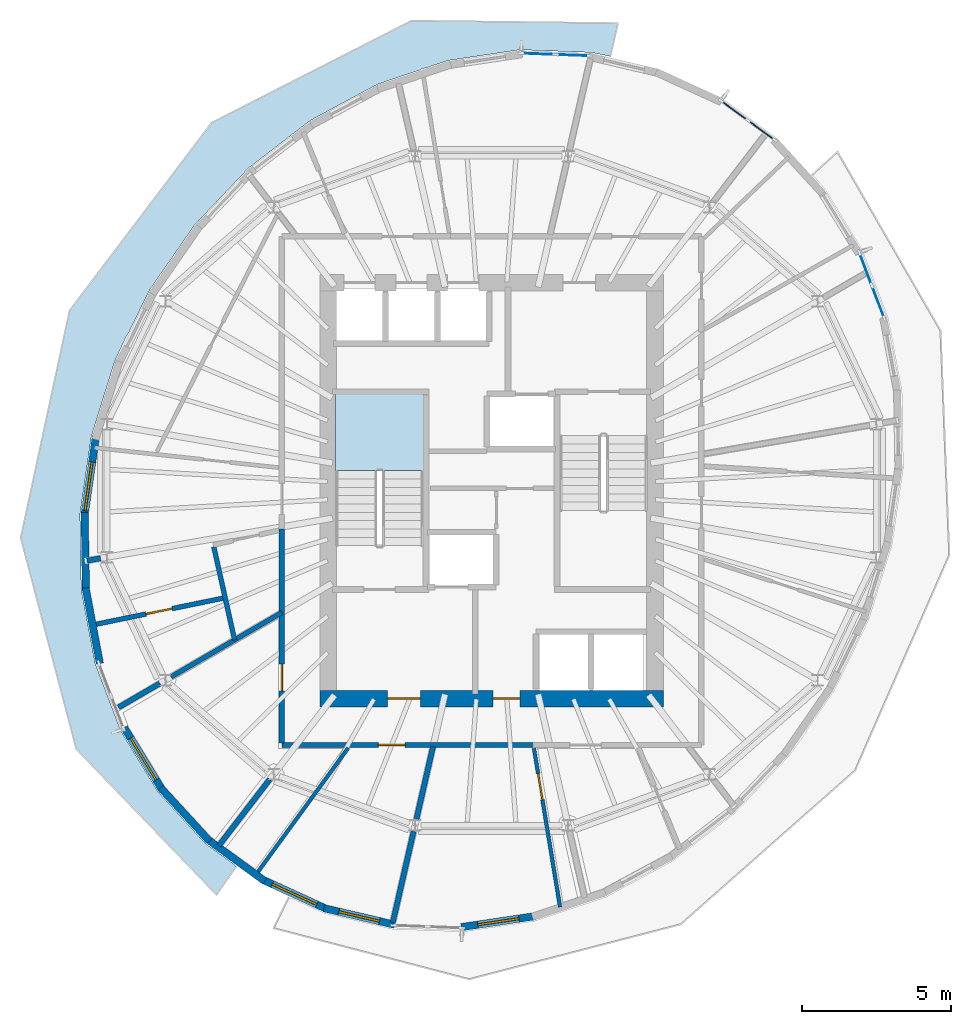
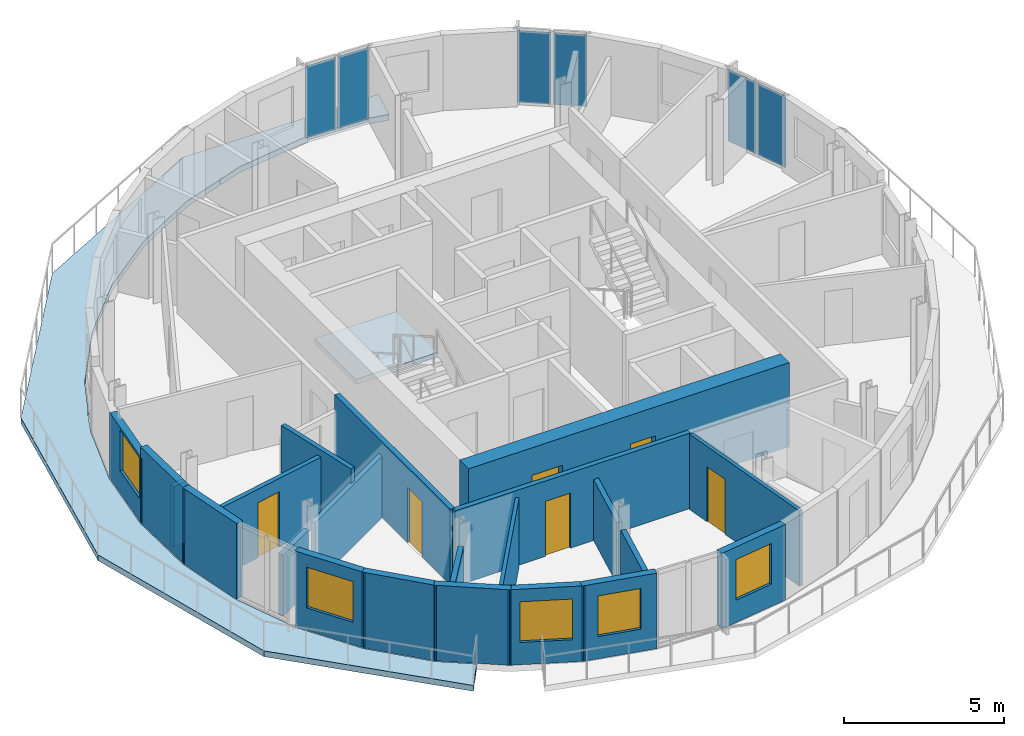
# One storey, part 4 of 11: 22 walls, 6 doors, 6 plates, 5 windows, 2 slabs, 11 openings, 4 elements without a shape of their own.
"""IFC4 building model written with IfcOpenShell, lengths in metres."""

from ifc_helpers import new_model, si_unit, direction, frame, frame_2d, origin, origin_2d, place, context, subcontext, project, spatial, polyline, rectangle, outline, extrude, material, layer, layer_set, type_object, element, fill, aggregate, save


model = new_model("IFC4")

# Units and contexts
model_context = context("Model", 3, precision=1e-05, world=origin(), true_north=direction((0.0, 1.0)))
body_context = subcontext(model_context, "Body", "Model", "MODEL_VIEW")
ifc_project = project(units=[si_unit("LENGTHUNIT", "METRE"), si_unit("AREAUNIT", "SQUARE_METRE"), si_unit("VOLUMEUNIT", "CUBIC_METRE"), si_unit("PLANEANGLEUNIT", "RADIAN"), si_unit("MASSUNIT", "GRAM", prefix="KILO")], contexts=[model_context])

# Site, building, storey
site_placement = place(None, origin())
site = spatial("IfcSite", under=ifc_project, at=site_placement, CompositionType="ELEMENT")
building_placement = place(site_placement, origin())
building = spatial("IfcBuilding", under=site, at=building_placement, Name="Veldorim Arch Residences", CompositionType="ELEMENT")
storey_placement = place(building_placement, frame((0.0, 0.0, 239.840087890625)))
storey = spatial("IfcBuildingStorey", under=building, at=storey_placement, Name="L72", CompositionType="ELEMENT", Elevation=239.840087890625)

# Slab
ifc_material_1 = material(Name="Concrete C40/50", Category="concrete")
ifc_layer_1 = layer(ifc_material_1, 0.219970703125, Name="Planted Crescent Cantilever Balcony Slab 220")
ifc_layer_set_1 = layer_set([ifc_layer_1], Name="Concrete C40/50")
slab_type_1 = type_object("IfcSlabType", Name="Planted Crescent Cantilever Balcony Slab 220", PredefinedType="FLOOR", material=ifc_layer_set_1)
slab_1_placement = place(storey_placement, frame((0.0, 0.0, -0.219970703125)))
element("IfcSlab", 1, at=slab_1_placement, inside=storey, type_object=slab_type_1, Name="L72 planted crescent balcony slab A", PredefinedType="FLOOR", context=body_context, shape_type="SweptSolid", body=[
    extrude(outline(polyline([(35.997314453125, 38.618896484375), (35.3486328125, 38.74951171875), (32.957763671875, 38.83935546875), (30.537841796875, 38.478271484375), (29.7763671875, 38.221435546875), (29.680419921875, 38.21533203125), (29.5712890625, 38.15234375), (28.162841796875, 37.677490234375), (25.904296875, 36.4609375), (23.831298828125, 34.8662109375), (22.00634765625, 32.94140625), (20.485107421875, 30.7451171875), (19.787109375, 29.314697265625), (19.71484375, 29.21630859375), (19.313232421875, 28.34375), (18.52685546875, 25.810546875), (18.14990234375, 23.222412109375), (18.193359375, 20.65771484375), (18.656494140625, 18.194091796875), (19.52490234375, 15.906982421875), (20.772705078125, 13.865478515625), (22.36181640625, 12.132080078125), (23.31396484375, 11.4375), (23.397705078125, 11.33642578125), (22.7421875, 10.3916015625), (18.0205078125, 15.2978515625), (16.1494140625, 22.412841796875), (17.7958984375, 30.069091796875), (22.573486328125, 36.384765625), (29.302978515625, 39.819091796875), (36.259033203125, 39.73876953125), (35.997314453125, 38.618896484375)])), origin(), (0.0, 0.0, 1.0), 0.219970703125),
])

# Stair, slab
ifc_material_2 = material(Name="Concrete C40/50", Category="concrete")
stair_type = type_object("IfcStairType", Name="Reinforced Concrete Dogleg Exit Staircase", PredefinedType="HALF_TURN_STAIR", material=ifc_material_2)
stair_placement = place(storey_placement, origin())
stair = element("IfcStair", 2, at=stair_placement, inside=storey, type_object=stair_type, Name="L72 Exit Staircase ST-1", PredefinedType="HALF_TURN_STAIR")
ifc_material_3 = material(Name="Concrete C40/50", Category="concrete")
ifc_layer_2 = layer(ifc_material_3, 0.199951171875, Name="Reinforced Concrete Stair Landing 200")
ifc_layer_set_2 = layer_set([ifc_layer_2], Name="Concrete C40/50")
slab_type_2 = type_object("IfcSlabType", Name="Reinforced Concrete Stair Landing 200", PredefinedType="LANDING", material=ifc_layer_set_2)
slab_2_placement = place(storey_placement, frame((0.0, 0.0, 1.39990234375)))
slab_2 = element("IfcSlab", 3, at=slab_2_placement, type_object=slab_type_2, Name="ST-1 landing 1", PredefinedType="LANDING", context=body_context, shape_type="SweptSolid", body=[
    extrude(outline(polyline([(29.7099609375, 24.669921875), (29.7099609375, 27.25), (26.75, 27.25), (26.75, 24.669921875), (29.7099609375, 24.669921875)])), origin(), (0.0, 0.0, 1.0), 0.199951171875),
])
aggregate(stair, [slab_2])

# Curtain wall, plates
ifc_material_4 = material(Name="Aluminium", Category="aluminium")
curtain_wall_type = type_object("IfcCurtainWallType", Name="Zone 4 High-Altitude Unitised Curtain Wall", PredefinedType="NOTDEFINED", material=ifc_material_4)
curtain_wall_1_placement = place(storey_placement, origin())
curtain_wall_1 = element("IfcCurtainWall", 4, at=curtain_wall_1_placement, inside=storey, type_object=curtain_wall_type, Name="L72 unitised curtain wall bay 03", PredefinedType="NOTDEFINED")
ifc_material_5 = material(Name="Laminated Low-E Glass", Category="glass")
ifc_layer_3 = layer(ifc_material_5, 0.030029296875, Name="Zone 4 High-Altitude Unitised Curtain Wall Glazing Panel 30")
ifc_layer_set_3 = layer_set([ifc_layer_3], Name="Laminated Low-E Glass")
plate_type = type_object("IfcPlateType", Name="Zone 4 High-Altitude Unitised Curtain Wall Glazing Panel 30", PredefinedType="CURTAIN_PANEL", material=ifc_layer_set_3)
plate_1_placement = place(storey_placement, frame((33.571044921875, 38.701171875, 0.074951171875), z_axis=(0.0, 0.0, 1.0), x_axis=(0.999292627791, -0.037606436173, 0.0)))
plate_1 = element("IfcPlate", 5, at=plate_1_placement, type_object=plate_type, Name="CW-Z4 panel 1.1", PredefinedType="CURTAIN_PANEL", context=body_context, shape_type="SweptSolid", body=[
    extrude(rectangle(XDim=1.08154296875, YDim=0.030029296875, at=origin_2d()), origin(), (0.0, 0.0, 1.0), 2.72998046875),
])
plate_2_placement = place(storey_placement, frame((34.7265625, 38.65771484375, 0.074951171875), z_axis=(0.0, 0.0, 1.0), x_axis=(0.999292627791, -0.037606436173, 0.0)))
plate_2 = element("IfcPlate", 6, at=plate_2_placement, type_object=plate_type, Name="CW-Z4 panel 2.1", PredefinedType="CURTAIN_PANEL", context=body_context, shape_type="SweptSolid", body=[
    extrude(rectangle(XDim=1.08154296875, YDim=0.030029296875, at=origin_2d()), origin(), (0.0, 0.0, 1.0), 2.72998046875),
])
aggregate(curtain_wall_1, [plate_1, plate_2])

curtain_wall_2_placement = place(storey_placement, origin())
curtain_wall_2 = element("IfcCurtainWall", 7, at=curtain_wall_2_placement, inside=storey, type_object=curtain_wall_type, Name="L72 unitised curtain wall bay 33", PredefinedType="NOTDEFINED")
plate_3_placement = place(storey_placement, frame((44.591796875, 31.461669921875, 0.074951171875), z_axis=(0.0, 0.0, 1.0), x_axis=(0.355002333755, -0.934865414393, 0.0)))
plate_3 = element("IfcPlate", 8, at=plate_3_placement, type_object=plate_type, Name="CW-Z4 panel 1.1", PredefinedType="CURTAIN_PANEL", context=body_context, shape_type="SweptSolid", body=[
    extrude(rectangle(XDim=1.1083984375, YDim=0.030029296875, at=origin_2d()), origin(), (0.0, 0.0, 1.0), 2.72998046875),
])
plate_4_placement = place(storey_placement, frame((45.011962890625, 30.355224609375, 0.074951171875), z_axis=(0.0, 0.0, 1.0), x_axis=(0.355002333755, -0.934865414393, 0.0)))
plate_4 = element("IfcPlate", 9, at=plate_4_placement, type_object=plate_type, Name="CW-Z4 panel 2.1", PredefinedType="CURTAIN_PANEL", context=body_context, shape_type="SweptSolid", body=[
    extrude(rectangle(XDim=1.1083984375, YDim=0.030029296875, at=origin_2d()), origin(), (0.0, 0.0, 1.0), 2.72998046875),
])
aggregate(curtain_wall_2, [plate_3, plate_4])

curtain_wall_3_placement = place(storey_placement, origin())
curtain_wall_3 = element("IfcCurtainWall", 10, at=curtain_wall_3_placement, inside=storey, type_object=curtain_wall_type, Name="L72 unitised curtain wall bay 36", PredefinedType="NOTDEFINED")
plate_5_placement = place(storey_placement, frame((40.1748046875, 36.79296875, 0.074951171875), z_axis=(0.0, 0.0, 1.0), x_axis=(0.807929877105, -0.589278638406, 0.0)))
plate_5 = element("IfcPlate", 11, at=plate_5_placement, type_object=plate_type, Name="CW-Z4 panel 1.1", PredefinedType="CURTAIN_PANEL", context=body_context, shape_type="SweptSolid", body=[
    extrude(rectangle(XDim=1.0498046875, YDim=0.030029296875, at=origin_2d()), origin(), (0.0, 0.0, 1.0), 2.72998046875),
])
plate_6_placement = place(storey_placement, frame((41.083740234375, 36.130126953125, 0.074951171875), z_axis=(0.0, 0.0, 1.0), x_axis=(0.807929877105, -0.589278638406, 0.0)))
plate_6 = element("IfcPlate", 12, at=plate_6_placement, type_object=plate_type, Name="CW-Z4 panel 2.1", PredefinedType="CURTAIN_PANEL", context=body_context, shape_type="SweptSolid", body=[
    extrude(rectangle(XDim=1.0498046875, YDim=0.030029296875, at=origin_2d()), origin(), (0.0, 0.0, 1.0), 2.72998046875),
])
aggregate(curtain_wall_3, [plate_5, plate_6])

# Wall
ifc_material_6 = material(Name="Acoustic Gypsum Board", Category="gypsum")
ifc_layer_4 = layer(ifc_material_6, 0.125, Name="Acoustic Stud Room Partition Wall 125")
ifc_layer_set_4 = layer_set([ifc_layer_4], Name="Acoustic Gypsum Board")
wall_type_1 = type_object("IfcWallType", Name="Acoustic Stud Room Partition Wall 125", PredefinedType="PARTITIONING", material=ifc_layer_set_4)
wall_1_placement = place(storey_placement, frame((24.07568359375, 11.086181640625, 0.0), z_axis=(0.0, 0.0, 1.0), x_axis=(0.588877051888, 0.808222628834, 0.0)))
element("IfcWall", 13, at=wall_1_placement, inside=storey, type_object=wall_type_1, Name="L72 interior wall WL-RES-L72-009", PredefinedType="PARTITIONING", context=body_context, shape_type="SweptSolid", body=[
    extrude(rectangle(XDim=5.266845703125, YDim=0.125, at=frame_2d((2.63330078125, 0.0))), origin(), (0.0, 0.0, 1.0), 2.61181640625),
])

# Wall, opening, door
wall_2_placement = place(storey_placement, frame((34.306396484375, 9.98046875, 0.0), z_axis=(0.0, 0.0, 1.0), x_axis=(-0.162328724732, 0.98673673547, 0.0)))
wall_2 = element("IfcWall", 14, at=wall_2_placement, inside=storey, type_object=wall_type_1, Name="L72 interior wall WL-RES-L72-013", PredefinedType="PARTITIONING", context=body_context, shape_type="SweptSolid", body=[
    extrude(rectangle(XDim=5.412841796875, YDim=0.125, at=frame_2d((2.70654296875, 0.0))), origin(), (0.0, 0.0, 1.0), 2.875),
])
opening_1_placement = place(wall_2_placement, frame((3.656494140625, 0.0, 0.0)))
opening_1 = element("IfcOpeningElement", 15, at=opening_1_placement, cuts=wall_2, Name="Opening DR-INT", PredefinedType="OPENING", context=body_context, shape_type="SweptSolid", body=[
    extrude(rectangle(XDim=0.89990234375, YDim=2.10009765625, at=frame_2d((0.449951171875, 1.050048828125))), frame((0.0, 0.072509765625, 0.0), z_axis=(0.0, -1.0, 0.0), x_axis=(1.0, 0.0, 0.0)), (0.0, 0.0, 1.0), 0.14501953125),
])
ifc_material_7 = material(Name="Engineered Timber", Category="wood")
door_type_1 = type_object("IfcDoorType", Name="Apartment Internal Room Timber Door 900x2100", OperationType="SINGLE_SWING_LEFT", PredefinedType="DOOR", material=ifc_material_7)
door_1_placement = place(opening_1_placement, origin())
door_1 = element("IfcDoor", 16, at=door_1_placement, inside=storey, type_object=door_type_1, Name="L72 interior door DR-RES-L72-005", OperationType="SINGLE_SWING_LEFT", OverallHeight=2.10009765625, OverallWidth=0.89990234375, PredefinedType="DOOR", context=body_context, shape_type="SweptSolid", body=[
    extrude(rectangle(XDim=0.89990234375, YDim=2.10009765625, at=frame_2d((0.449951171875, 1.050048828125))), frame((0.0, 0.02490234375, 0.0), z_axis=(0.0, -1.0, 0.0), x_axis=(1.0, 0.0, 0.0)), (0.0, 0.0, 1.0), 0.050048828125),
])
fill(opening_1, door_1)

# Walls
ifc_material_8 = material(Name="Lightweight Masonry Block & Gypsum", Category="masonry")
ifc_layer_5 = layer(ifc_material_8, 0.179931640625, Name="Compartment & Corridor Fire-Rated Party Wall 180")
ifc_layer_set_5 = layer_set([ifc_layer_5], Name="Lightweight Masonry Block & Gypsum")
wall_type_2 = type_object("IfcWallType", Name="Compartment & Corridor Fire-Rated Party Wall 180", PredefinedType="PARTITIONING", material=ifc_layer_set_5)
wall_3_placement = place(storey_placement, frame((18.83740234375, 21.722900390625, 0.0), z_axis=(0.0, 0.0, 1.0), x_axis=(-0.985450971837, -0.169959942652, 0.0)))
element("IfcWall", 17, at=wall_3_placement, inside=storey, type_object=wall_type_2, Name="L72 interior wall WL-PIER-L72-09", PredefinedType="PARTITIONING", context=body_context, shape_type="SweptSolid", body=[
    extrude(rectangle(XDim=0.462646484375, YDim=0.179931640625, at=frame_2d((0.2314453125, 0.0))), origin(), (0.0, 0.0, 1.0), 2.3232421875),
])
wall_4_placement = place(storey_placement, frame((20.834716796875, 17.51171875, 0.0), z_axis=(0.0, 0.0, 1.0), x_axis=(-0.864591417654, -0.50247555216, 0.0)))
element("IfcWall", 18, at=wall_4_placement, inside=storey, type_object=wall_type_2, Name="L72 interior wall WL-PIER-L72-10", PredefinedType="PARTITIONING", context=body_context, shape_type="SweptSolid", body=[
    extrude(rectangle(XDim=1.610595703125, YDim=0.179931640625, at=frame_2d((0.80517578125, 0.0))), origin(), (0.0, 0.0, 1.0), 2.3232421875),
])
wall_5_placement = place(storey_placement, frame((24.53271484375, 14.280517578125, 0.0), z_axis=(0.0, 0.0, 1.0), x_axis=(-0.609215330611, -0.793004842954, 0.0)))
element("IfcWall", 19, at=wall_5_placement, inside=storey, type_object=wall_type_2, Name="L72 interior wall WL-PIER-L72-11", PredefinedType="PARTITIONING", context=body_context, shape_type="SweptSolid", body=[
    extrude(rectangle(XDim=2.810791015625, YDim=0.179931640625, at=frame_2d((1.4052734375, 0.0))), origin(), (0.0, 0.0, 1.0), 2.3232421875),
])
wall_6_placement = place(storey_placement, frame((29.3759765625, 12.526611328125, 0.0), z_axis=(0.0, 0.0, 1.0), x_axis=(-0.222991059039, -0.974820489931, 0.0)))
element("IfcWall", 20, at=wall_6_placement, inside=storey, type_object=wall_type_2, Name="L72 interior wall WL-PIER-L72-12", PredefinedType="PARTITIONING", context=body_context, shape_type="SweptSolid", body=[
    extrude(rectangle(XDim=3.14990234375, YDim=0.179931640625, at=frame_2d((1.574951171875, 0.0))), origin(), (0.0, 0.0, 1.0), 2.3232421875),
])

# Wall, opening, door
wall_7_placement = place(storey_placement, frame((33.428466796875, 15.43994140625, 0.0), z_axis=(0.0, 0.0, 1.0), x_axis=(-1.0, 0.0, 0.0)))
wall_7 = element("IfcWall", 21, at=wall_7_placement, inside=storey, type_object=wall_type_2, Name="L72 interior wall WL-RES-L72-001", PredefinedType="PARTITIONING", context=body_context, shape_type="SweptSolid", body=[
    extrude(rectangle(XDim=8.488525390625, YDim=0.179931640625, at=frame_2d((4.244140625, 0.0))), origin(), (0.0, 0.0, 1.0), 2.875),
])
opening_2_placement = place(wall_7_placement, frame((4.335693359375, 0.0, 0.0)))
opening_2 = element("IfcOpeningElement", 22, at=opening_2_placement, cuts=wall_7, Name="Opening DR-SVC", PredefinedType="OPENING", context=body_context, shape_type="SweptSolid", body=[
    extrude(rectangle(XDim=0.89990234375, YDim=2.10009765625, at=frame_2d((0.449951171875, 1.050048828125))), frame((0.0, 0.099853515625, 0.0), z_axis=(0.0, -1.0, 0.0), x_axis=(1.0, 0.0, 0.0)), (0.0, 0.0, 1.0), 0.199951171875),
])
ifc_material_9 = material(Name="Fire-Rated Steel", Category="steel")
door_type_2 = type_object("IfcDoorType", Name="Riser, Shelter & Plant Room Rated Steel Door 900x2100", OperationType="SINGLE_SWING_LEFT", PredefinedType="DOOR", material=ifc_material_9)
door_2_placement = place(opening_2_placement, origin())
door_2 = element("IfcDoor", 23, at=door_2_placement, inside=storey, type_object=door_type_2, Name="L72 interior door DR-RES-L72-001", OperationType="SINGLE_SWING_LEFT", OverallHeight=2.10009765625, OverallWidth=0.89990234375, PredefinedType="DOOR", context=body_context, shape_type="SweptSolid", body=[
    extrude(rectangle(XDim=0.89990234375, YDim=2.10009765625, at=frame_2d((0.449951171875, 1.050048828125))), frame((0.0, 0.02490234375, 0.0), z_axis=(0.0, -1.0, 0.0), x_axis=(1.0, 0.0, 0.0)), (0.0, 0.0, 1.0), 0.050048828125),
])
fill(opening_2, door_2)

wall_8_placement = place(storey_placement, frame((24.93994140625, 15.5, 0.0), z_axis=(0.0, 0.0, 1.0), x_axis=(0.0, 1.0, 0.0)))
wall_8 = element("IfcWall", 24, at=wall_8_placement, inside=storey, type_object=wall_type_2, Name="L72 interior wall WL-RES-L72-002", PredefinedType="PARTITIONING", context=body_context, shape_type="SweptSolid", body=[
    extrude(rectangle(XDim=7.202880859375, YDim=0.179931640625, at=frame_2d((3.6015625, 0.0))), origin(), (0.0, 0.0, 1.0), 2.875),
])
opening_3_placement = place(wall_8_placement, frame((1.7587890625, 0.0, 0.0)))
opening_3 = element("IfcOpeningElement", 25, at=opening_3_placement, cuts=wall_8, Name="Opening DR-INT", PredefinedType="OPENING", context=body_context, shape_type="SweptSolid", body=[
    extrude(rectangle(XDim=0.89990234375, YDim=2.10009765625, at=frame_2d((0.449951171875, 1.050048828125))), frame((0.0, 0.099853515625, 0.0), z_axis=(0.0, -1.0, 0.0), x_axis=(1.0, 0.0, 0.0)), (0.0, 0.0, 1.0), 0.199951171875),
])
door_3_placement = place(opening_3_placement, origin())
door_3 = element("IfcDoor", 26, at=door_3_placement, inside=storey, type_object=door_type_1, Name="L72 interior door DR-RES-L72-002", OperationType="SINGLE_SWING_RIGHT", OverallHeight=2.10009765625, OverallWidth=0.89990234375, PredefinedType="DOOR", context=body_context, shape_type="SweptSolid", body=[
    extrude(rectangle(XDim=0.89990234375, YDim=2.10009765625, at=frame_2d((0.449951171875, 1.050048828125))), frame((0.0, 0.02490234375, 0.0), z_axis=(0.0, -1.0, 0.0), x_axis=(1.0, 0.0, 0.0)), (0.0, 0.0, 1.0), 0.050048828125),
])
fill(opening_3, door_3)

# Wall
wall_9_placement = place(storey_placement, frame((30.02880859375, 15.381591796875, 0.0), z_axis=(0.0, 0.0, 1.0), x_axis=(-0.222978952174, -0.974823259308, 0.0)))
element("IfcWall", 27, at=wall_9_placement, inside=storey, type_object=wall_type_2, Name="L72 interior wall WL-RES-L72-010", PredefinedType="PARTITIONING", context=body_context, shape_type="SweptSolid", body=[
    extrude(rectangle(XDim=2.494140625, YDim=0.179931640625, at=frame_2d((1.2470703125, 0.0))), origin(), (0.0, 0.0, 1.0), 2.3232421875),
])

# Wall, opening, window
ifc_material_10 = material(Name="Precast concrete C40/50", Category="concrete")
ifc_layer_6 = layer(ifc_material_10, 0.25, Name="Tower Terracotta Spandrel & Pier Wall 250")
ifc_layer_set_6 = layer_set([ifc_layer_6], Name="Precast concrete C40/50")
wall_type_3 = type_object("IfcWallType", Name="Tower Terracotta Spandrel & Pier Wall 250", PredefinedType="SOLIDWALL", material=ifc_layer_set_6)
wall_10_placement = place(storey_placement, frame((18.2919921875, 23.158203125, 0.0), z_axis=(0.0, 0.0, 1.0), x_axis=(0.144229466115, 0.989544269401, 0.0)))
wall_10 = element("IfcWall", 28, at=wall_10_placement, inside=storey, type_object=wall_type_3, Name="L72 terracotta facade wall 12", PredefinedType="SOLIDWALL", context=body_context, shape_type="SweptSolid", body=[
    extrude(rectangle(XDim=2.70166015625, YDim=0.25, at=frame_2d((1.350830078125, 0.0))), origin(), (0.0, 0.0, 1.0), 2.496826171875),
])
opening_4_placement = place(wall_10_placement, frame((0.175048828125, 0.0, 0.85009765625)))
opening_4 = element("IfcOpeningElement", 29, at=opening_4_placement, cuts=wall_10, Name="Opening WN-03", PredefinedType="OPENING", context=body_context, shape_type="SweptSolid", body=[
    extrude(rectangle(XDim=1.64990234375, YDim=1.550048828125, at=frame_2d((0.824951171875, 0.77490234375))), frame((0.0, 0.135009765625, 0.0), z_axis=(0.0, -1.0, 0.0), x_axis=(1.0, 0.0, 0.0)), (0.0, 0.0, 1.0), 0.27001953125),
])
ifc_material_11 = material(Name="Laminated Low-E Glass", Category="glass")
window_type_1 = type_object("IfcWindowType", Name="Residential Wide Window 1650x1550", PartitioningType="SINGLE_PANEL", PredefinedType="WINDOW", material=ifc_material_11)
window_1_placement = place(opening_4_placement, origin())
window_1 = element("IfcWindow", 30, at=window_1_placement, inside=storey, type_object=window_type_1, Name="L72 solar-control facade window 12", OverallHeight=1.550048828125, OverallWidth=1.64990234375, PartitioningType="SINGLE_PANEL", PredefinedType="WINDOW", context=body_context, shape_type="SweptSolid", body=[
    extrude(rectangle(XDim=1.64990234375, YDim=1.550048828125, at=frame_2d((0.824951171875, 0.77490234375))), frame((0.0, 0.030029296875, 0.0), z_axis=(0.0, -1.0, 0.0), x_axis=(1.0, 0.0, 0.0)), (0.0, 0.0, 1.0), 0.06005859375),
])
fill(opening_4, window_1)

# Walls
wall_11_placement = place(storey_placement, frame((18.343994140625, 20.6171875, 0.0), z_axis=(0.0, 0.0, 1.0), x_axis=(-0.016945158089, 0.999856420501, 0.0)))
element("IfcWall", 31, at=wall_11_placement, inside=storey, type_object=wall_type_3, Name="L72 terracotta facade wall 13", PredefinedType="SOLIDWALL", context=body_context, shape_type="SweptSolid", body=[
    extrude(rectangle(XDim=2.651123046875, YDim=0.25, at=frame_2d((1.32568359375, 0.0))), origin(), (0.0, 0.0, 1.0), 2.8798828125),
])
wall_12_placement = place(storey_placement, frame((18.811767578125, 18.179931640625, 0.0), z_axis=(0.0, 0.0, 1.0), x_axis=(-0.184783228791, 0.982779302976, 0.0)))
element("IfcWall", 32, at=wall_12_placement, inside=storey, type_object=wall_type_3, Name="L72 terracotta facade wall 14", PredefinedType="SOLIDWALL", context=body_context, shape_type="SweptSolid", body=[
    extrude(rectangle(XDim=2.59228515625, YDim=0.25, at=frame_2d((1.296142578125, 0.0))), origin(), (0.0, 0.0, 1.0), 2.8798828125),
])

# Wall, opening, window
wall_13_placement = place(storey_placement, frame((20.9228515625, 13.907470703125, 0.0), z_axis=(0.0, 0.0, 1.0), x_axis=(-0.52150580366, 0.853247734687, 0.0)))
wall_13 = element("IfcWall", 33, at=wall_13_placement, inside=storey, type_object=wall_type_3, Name="L72 terracotta facade wall 16", PredefinedType="SOLIDWALL", context=body_context, shape_type="SweptSolid", body=[
    extrude(rectangle(XDim=2.477783203125, YDim=0.25, at=frame_2d((1.23876953125, 0.0))), origin(), (0.0, 0.0, 1.0), 2.8798828125),
])
opening_5_placement = place(wall_13_placement, frame((0.4140625, 0.0, 0.85009765625)))
opening_5 = element("IfcOpeningElement", 34, at=opening_5_placement, cuts=wall_13, Name="Opening WN-03", PredefinedType="OPENING", context=body_context, shape_type="SweptSolid", body=[
    extrude(rectangle(XDim=1.64990234375, YDim=1.550048828125, at=frame_2d((0.824951171875, 0.77490234375))), frame((0.0, 0.135009765625, 0.0), z_axis=(0.0, -1.0, 0.0), x_axis=(1.0, 0.0, 0.0)), (0.0, 0.0, 1.0), 0.27001953125),
])
window_2_placement = place(opening_5_placement, origin())
window_2 = element("IfcWindow", 35, at=window_2_placement, inside=storey, type_object=window_type_1, Name="L72 solar-control facade window 16", OverallHeight=1.550048828125, OverallWidth=1.64990234375, PartitioningType="SINGLE_PANEL", PredefinedType="WINDOW", context=body_context, shape_type="SweptSolid", body=[
    extrude(rectangle(XDim=1.64990234375, YDim=1.550048828125, at=frame_2d((0.824951171875, 0.77490234375))), frame((0.0, 0.030029296875, 0.0), z_axis=(0.0, -1.0, 0.0), x_axis=(1.0, 0.0, 0.0)), (0.0, 0.0, 1.0), 0.06005859375),
])
fill(opening_5, window_2)

# Walls
wall_14_placement = place(storey_placement, frame((22.501220703125, 12.2021484375, 0.0), z_axis=(0.0, 0.0, 1.0), x_axis=(-0.675783606308, 0.737100072884, 0.0)))
element("IfcWall", 36, at=wall_14_placement, inside=storey, type_object=wall_type_3, Name="L72 terracotta facade wall 17", PredefinedType="SOLIDWALL", context=body_context, shape_type="SweptSolid", body=[
    extrude(rectangle(XDim=2.436767578125, YDim=0.25, at=frame_2d((1.21826171875, 0.0))), origin(), (0.0, 0.0, 1.0), 2.8798828125),
])
wall_15_placement = place(storey_placement, frame((24.36669921875, 10.85546875, 0.0), z_axis=(0.0, 0.0, 1.0), x_axis=(-0.80791325233, 0.589301431111, 0.0)))
element("IfcWall", 37, at=wall_15_placement, inside=storey, type_object=wall_type_3, Name="L72 terracotta facade wall 18", PredefinedType="SOLIDWALL", context=body_context, shape_type="SweptSolid", body=[
    extrude(rectangle(XDim=2.41455078125, YDim=0.25, at=frame_2d((1.207275390625, 0.0))), origin(), (0.0, 0.0, 1.0), 2.8798828125),
])

# Wall, opening, window
wall_16_placement = place(storey_placement, frame((26.463134765625, 9.907470703125, 0.0), z_axis=(0.0, 0.0, 1.0), x_axis=(-0.909098330543, 0.416581595133, 0.0)))
wall_16 = element("IfcWall", 38, at=wall_16_placement, inside=storey, type_object=wall_type_3, Name="L72 terracotta facade wall 19", PredefinedType="SOLIDWALL", context=body_context, shape_type="SweptSolid", body=[
    extrude(rectangle(XDim=2.41455078125, YDim=0.25, at=frame_2d((1.207275390625, 0.0))), origin(), (0.0, 0.0, 1.0), 2.8798828125),
])
opening_6_placement = place(wall_16_placement, frame((0.382080078125, 0.0, 0.85009765625)))
opening_6 = element("IfcOpeningElement", 39, at=opening_6_placement, cuts=wall_16, Name="Opening WN-03", PredefinedType="OPENING", context=body_context, shape_type="SweptSolid", body=[
    extrude(rectangle(XDim=1.64990234375, YDim=1.550048828125, at=frame_2d((0.824951171875, 0.77490234375))), frame((0.0, 0.135009765625, 0.0), z_axis=(0.0, -1.0, 0.0), x_axis=(1.0, 0.0, 0.0)), (0.0, 0.0, 1.0), 0.27001953125),
])
window_3_placement = place(opening_6_placement, origin())
window_3 = element("IfcWindow", 40, at=window_3_placement, inside=storey, type_object=window_type_1, Name="L72 solar-control facade window 19", OverallHeight=1.550048828125, OverallWidth=1.64990234375, PartitioningType="SINGLE_PANEL", PredefinedType="WINDOW", context=body_context, shape_type="SweptSolid", body=[
    extrude(rectangle(XDim=1.64990234375, YDim=1.550048828125, at=frame_2d((0.824951171875, 0.77490234375))), frame((0.0, 0.030029296875, 0.0), z_axis=(0.0, -1.0, 0.0), x_axis=(1.0, 0.0, 0.0)), (0.0, 0.0, 1.0), 0.06005859375),
])
fill(opening_6, window_3)

wall_17_placement = place(storey_placement, frame((28.72705078125, 9.386962890625, 0.0), z_axis=(0.0, 0.0, 1.0), x_axis=(-0.973464451287, 0.228838288055, 0.0)))
wall_17 = element("IfcWall", 41, at=wall_17_placement, inside=storey, type_object=wall_type_3, Name="L72 terracotta facade wall 20", PredefinedType="SOLIDWALL", context=body_context, shape_type="SweptSolid", body=[
    extrude(rectangle(XDim=2.436767578125, YDim=0.25, at=frame_2d((1.21826171875, 0.0))), origin(), (0.0, 0.0, 1.0), 2.8798828125),
])
opening_7_placement = place(wall_17_placement, frame((0.51806640625, 0.0, 0.85009765625)))
opening_7 = element("IfcOpeningElement", 42, at=opening_7_placement, cuts=wall_17, Name="Opening WN-02", PredefinedType="OPENING", context=body_context, shape_type="SweptSolid", body=[
    extrude(rectangle(XDim=1.39990234375, YDim=1.550048828125, at=frame_2d((0.699951171875, 0.77490234375))), frame((0.0, 0.135009765625, 0.0), z_axis=(0.0, -1.0, 0.0), x_axis=(1.0, 0.0, 0.0)), (0.0, 0.0, 1.0), 0.27001953125),
])
ifc_material_12 = material(Name="Laminated Low-E Glass", Category="glass")
window_type_2 = type_object("IfcWindowType", Name="Residential Casement Window 1400x1550", PartitioningType="SINGLE_PANEL", PredefinedType="WINDOW", material=ifc_material_12)
window_4_placement = place(opening_7_placement, origin())
window_4 = element("IfcWindow", 43, at=window_4_placement, inside=storey, type_object=window_type_2, Name="L72 solar-control facade window 20", OverallHeight=1.550048828125, OverallWidth=1.39990234375, PartitioningType="SINGLE_PANEL", PredefinedType="WINDOW", context=body_context, shape_type="SweptSolid", body=[
    extrude(rectangle(XDim=1.39990234375, YDim=1.550048828125, at=frame_2d((0.699951171875, 0.77490234375))), frame((0.0, 0.030029296875, 0.0), z_axis=(0.0, -1.0, 0.0), x_axis=(1.0, 0.0, 0.0)), (0.0, 0.0, 1.0), 0.06005859375),
])
fill(opening_7, window_4)

wall_18_placement = place(storey_placement, frame((33.482421875, 9.676513671875, 0.0), z_axis=(0.0, 0.0, 1.0), x_axis=(-0.989047098021, -0.147600263873, 0.0)))
wall_18 = element("IfcWall", 44, at=wall_18_placement, inside=storey, type_object=wall_type_3, Name="L72 terracotta facade wall 22", PredefinedType="SOLIDWALL", context=body_context, shape_type="SweptSolid", body=[
    extrude(rectangle(XDim=2.532470703125, YDim=0.25, at=frame_2d((1.26611328125, 0.0))), origin(), (0.0, 0.0, 1.0), 2.8798828125),
])
opening_8_placement = place(wall_18_placement, frame((0.56591796875, 0.0, 0.85009765625)))
opening_8 = element("IfcOpeningElement", 45, at=opening_8_placement, cuts=wall_18, Name="Opening WN-02", PredefinedType="OPENING", context=body_context, shape_type="SweptSolid", body=[
    extrude(rectangle(XDim=1.39990234375, YDim=1.550048828125, at=frame_2d((0.699951171875, 0.77490234375))), frame((0.0, 0.135009765625, 0.0), z_axis=(0.0, -1.0, 0.0), x_axis=(1.0, 0.0, 0.0)), (0.0, 0.0, 1.0), 0.27001953125),
])
window_5_placement = place(opening_8_placement, origin())
window_5 = element("IfcWindow", 46, at=window_5_placement, inside=storey, type_object=window_type_2, Name="L72 solar-control facade window 22", OverallHeight=1.550048828125, OverallWidth=1.39990234375, PartitioningType="SINGLE_PANEL", PredefinedType="WINDOW", context=body_context, shape_type="SweptSolid", body=[
    extrude(rectangle(XDim=1.39990234375, YDim=1.550048828125, at=frame_2d((0.699951171875, 0.77490234375))), frame((0.0, 0.030029296875, 0.0), z_axis=(0.0, -1.0, 0.0), x_axis=(1.0, 0.0, 0.0)), (0.0, 0.0, 1.0), 0.06005859375),
])
fill(opening_8, window_5)

# Wall, openings, doors
ifc_material_13 = material(Name="Concrete C50/60", Category="concrete")
ifc_layer_7 = layer(ifc_material_13, 0.5, Name="Upper Central Core Shear Wall 560")
ifc_layer_set_7 = layer_set([ifc_layer_7], Name="Concrete C50/60")
wall_type_4 = type_object("IfcWallType", Name="Upper Central Core Shear Wall 560", PredefinedType="SHEAR", material=ifc_layer_set_7)
wall_19_placement = place(storey_placement, frame((26.219970703125, 17.0, 0.0), z_axis=(0.0, 0.0, 1.0), x_axis=(1.0, 0.0, 0.0)))
wall_19 = element("IfcWall", 47, at=wall_19_placement, inside=storey, type_object=wall_type_4, Name="L72 central core south shear wall", PredefinedType="SHEAR", context=body_context, shape_type="SweptSolid", body=[
    extrude(rectangle(XDim=11.56005859375, YDim=0.56005859375, at=frame_2d((5.780029296875, 0.0))), origin(), (0.0, 0.0, 1.0), 3.199951171875),
])
opening_9_placement = place(wall_19_placement, frame((2.280029296875, 0.0, 0.0)))
opening_9 = element("IfcOpeningElement", 48, at=opening_9_placement, cuts=wall_19, Name="Opening DR-FFL", PredefinedType="OPENING", context=body_context, shape_type="SweptSolid", body=[
    extrude(rectangle(XDim=1.10009765625, YDim=2.14990234375, at=frame_2d((0.550048828125, 1.074951171875))), frame((0.0, 0.2900390625, 0.0), z_axis=(0.0, -1.0, 0.0), x_axis=(1.0, 0.0, 0.0)), (0.0, 0.0, 1.0), 0.580078125),
])
opening_10_placement = place(wall_19_placement, frame((5.830078125, 0.0, 0.0)))
opening_10 = element("IfcOpeningElement", 49, at=opening_10_placement, cuts=wall_19, Name="Opening DR-SVC", PredefinedType="OPENING", context=body_context, shape_type="SweptSolid", body=[
    extrude(rectangle(XDim=0.89990234375, YDim=2.10009765625, at=frame_2d((0.449951171875, 1.050048828125))), frame((0.0, 0.2900390625, 0.0), z_axis=(0.0, -1.0, 0.0), x_axis=(1.0, 0.0, 0.0)), (0.0, 0.0, 1.0), 0.580078125),
])
ifc_material_14 = material(Name="Fire-Rated Steel & Vision Glass", Category="steel")
door_type_3 = type_object("IfcDoorType", Name="Firefighting Lobby Smoke-Stop Fire Door 1100x2150", OperationType="SINGLE_SWING_LEFT", PredefinedType="DOOR", material=ifc_material_14)
door_4_placement = place(opening_9_placement, origin())
door_4 = element("IfcDoor", 50, at=door_4_placement, inside=storey, type_object=door_type_3, Name="L72 interior door DR-L72-FFL1", OperationType="SINGLE_SWING_RIGHT", OverallHeight=2.14990234375, OverallWidth=1.10009765625, PredefinedType="DOOR", context=body_context, shape_type="SweptSolid", body=[
    extrude(rectangle(XDim=1.10009765625, YDim=2.14990234375, at=frame_2d((0.550048828125, 1.074951171875))), frame((0.0, 0.02490234375, 0.0), z_axis=(0.0, -1.0, 0.0), x_axis=(1.0, 0.0, 0.0)), (0.0, 0.0, 1.0), 0.050048828125),
])
fill(opening_9, door_4)
door_5_placement = place(opening_10_placement, origin())
door_5 = element("IfcDoor", 51, at=door_5_placement, inside=storey, type_object=door_type_2, Name="L72 interior door DR-L72-COR-ANC", OperationType="SINGLE_SWING_LEFT", OverallHeight=2.10009765625, OverallWidth=0.89990234375, PredefinedType="DOOR", context=body_context, shape_type="SweptSolid", body=[
    extrude(rectangle(XDim=0.89990234375, YDim=2.10009765625, at=frame_2d((0.449951171875, 1.050048828125))), frame((0.0, 0.02490234375, 0.0), z_axis=(0.0, -1.0, 0.0), x_axis=(1.0, 0.0, 0.0)), (0.0, 0.0, 1.0), 0.050048828125),
])
fill(opening_10, door_5)

# Wall
ifc_material_15 = material(Name="Moisture-Resistant Gypsum & Stud", Category="gypsum")
ifc_layer_8 = layer(ifc_material_15, 0.159912109375, Name="Wet-Area Moisture-Resistant Plumbing Wall 160")
ifc_layer_set_8 = layer_set([ifc_layer_8], Name="Moisture-Resistant Gypsum & Stud")
wall_type_5 = type_object("IfcWallType", Name="Wet-Area Moisture-Resistant Plumbing Wall 160", PredefinedType="PLUMBINGWALL", material=ifc_layer_set_8)
wall_20_placement = place(storey_placement, frame((21.209716796875, 17.7294921875, 0.0), z_axis=(0.0, 0.0, 1.0), x_axis=(0.864584371019, 0.502487676854, 0.0)))
element("IfcWall", 52, at=wall_20_placement, inside=storey, type_object=wall_type_5, Name="L72 interior wall WL-RES-L72-011", PredefinedType="PLUMBINGWALL", context=body_context, shape_type="SweptSolid", body=[
    extrude(rectangle(XDim=4.314453125, YDim=0.159912109375, at=frame_2d((2.1572265625, 0.0))), origin(), (0.0, 0.0, 1.0), 2.3232421875),
])

# Wall, opening, door
wall_21_placement = place(storey_placement, frame((23.031982421875, 20.395263671875, 0.0), z_axis=(0.0, 0.0, 1.0), x_axis=(-0.979533467042, -0.201281362638, 0.0)))
wall_21 = element("IfcWall", 53, at=wall_21_placement, inside=storey, type_object=wall_type_5, Name="L72 interior wall WL-RES-L72-024", PredefinedType="PLUMBINGWALL", context=body_context, shape_type="SweptSolid", body=[
    extrude(rectangle(XDim=4.54248046875, YDim=0.159912109375, at=frame_2d((2.271240234375, 0.0))), origin(), (0.0, 0.0, 1.0), 2.61181640625),
])
opening_11_placement = place(wall_21_placement, frame((1.8212890625, 0.0, 0.0)))
opening_11 = element("IfcOpeningElement", 54, at=opening_11_placement, cuts=wall_21, Name="Opening DR-WC", PredefinedType="OPENING", context=body_context, shape_type="SweptSolid", body=[
    extrude(rectangle(XDim=0.89990234375, YDim=2.10009765625, at=frame_2d((0.449951171875, 1.050048828125))), frame((0.0, 0.08984375, 0.0), z_axis=(0.0, -1.0, 0.0), x_axis=(1.0, 0.0, 0.0)), (0.0, 0.0, 1.0), 0.179931640625),
])
ifc_material_16 = material(Name="Laminate Timber", Category="wood")
door_type_4 = type_object("IfcDoorType", Name="Bathroom & Accessible WC Moisture-Sealed Door 900x2100", OperationType="SINGLE_SWING_LEFT", PredefinedType="DOOR", material=ifc_material_16)
door_6_placement = place(opening_11_placement, origin())
door_6 = element("IfcDoor", 55, at=door_6_placement, inside=storey, type_object=door_type_4, Name="L72 interior door DR-RES-L72-016", OperationType="SINGLE_SWING_RIGHT", OverallHeight=2.10009765625, OverallWidth=0.89990234375, PredefinedType="DOOR", context=body_context, shape_type="SweptSolid", body=[
    extrude(rectangle(XDim=0.89990234375, YDim=2.10009765625, at=frame_2d((0.449951171875, 1.050048828125))), frame((0.0, 0.02490234375, 0.0), z_axis=(0.0, -1.0, 0.0), x_axis=(1.0, 0.0, 0.0)), (0.0, 0.0, 1.0), 0.050048828125),
])
fill(opening_11, door_6)

# Wall
wall_22_placement = place(storey_placement, frame((22.649169921875, 22.1123046875, 0.0), z_axis=(0.0, 0.0, 1.0), x_axis=(0.21761353054, -0.97603501542, 0.0)))
element("IfcWall", 56, at=wall_22_placement, inside=storey, type_object=wall_type_5, Name="L72 interior wall WL-RES-L72-027", PredefinedType="PLUMBINGWALL", context=body_context, shape_type="SweptSolid", body=[
    extrude(rectangle(XDim=3.216552734375, YDim=0.159912109375, at=frame_2d((1.6083984375, 0.0))), origin(), (0.0, 0.0, 1.0), 2.875),
])

save(model, "model.ifc")
